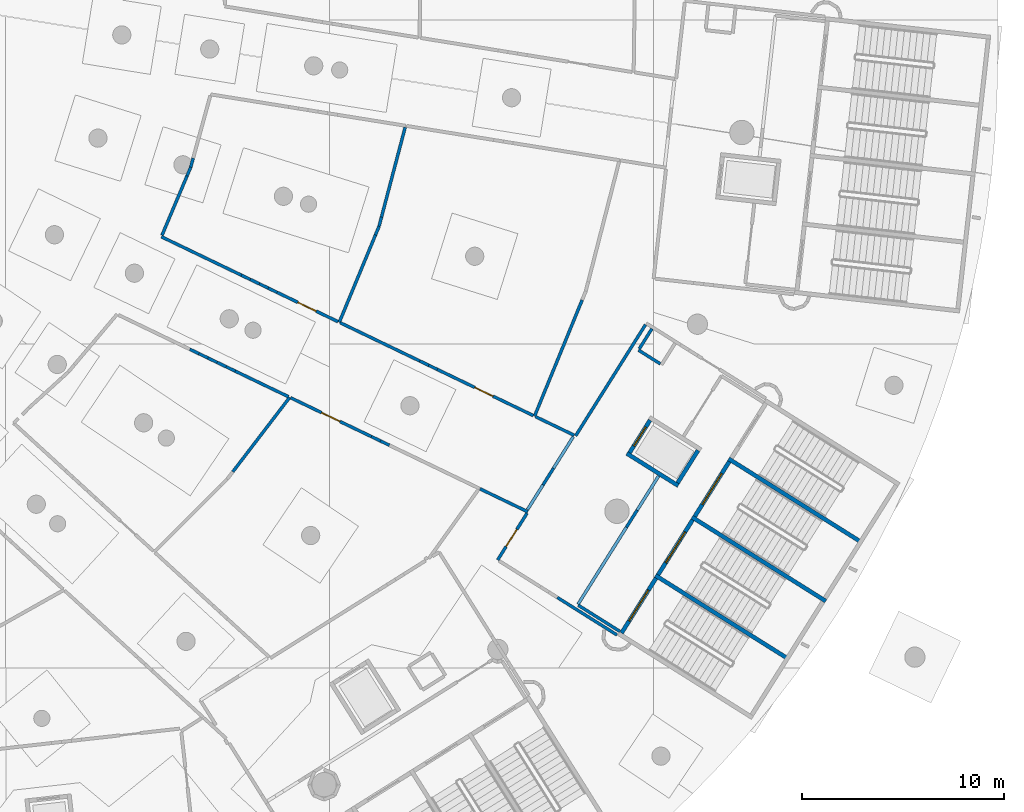
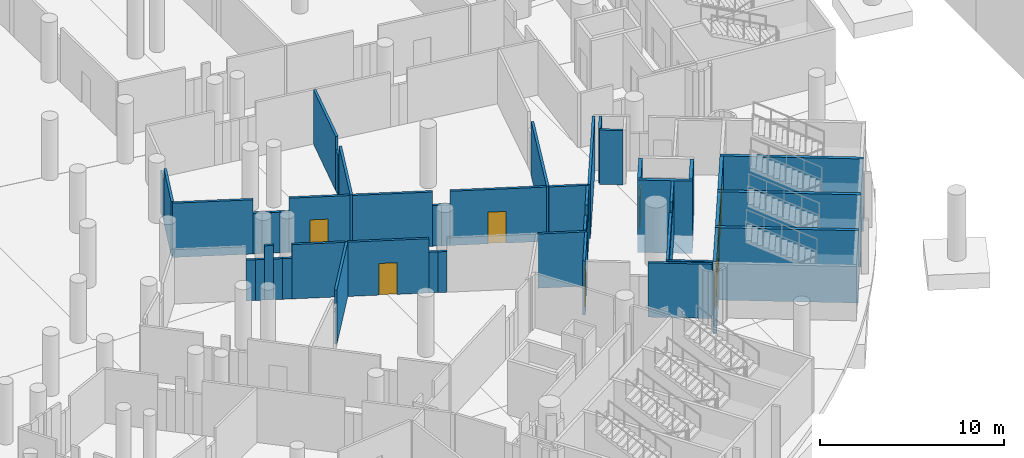
# One storey, part 58 of 142: 51 walls, 8 doors, 8 openings.
"""IFC4 building model written with IfcOpenShell, lengths in metres."""

import ifcopenshell
import ifcopenshell.guid

model = None  # the IFC model being written
_history = None  # IfcOwnerHistory: only IFC2X3 demands one
_inside = {}  # id of a spatial element -> (the spatial element, [elements in it])
_under = {}  # id of a project, library or spatial element -> (it, [spatial elements below it])
_declared = {}  # id of a project -> (the project, [libraries it declares])
_typed = {}  # id of a type object -> (the type object, [elements of that type])
_made_of = {}  # id of a material, layer set ... -> (it, [elements and type objects made of it])


def new_model(schema):
    """Start an empty IFC model of exactly this schema.

    Asked for "IFC4X3", IfcOpenShell would pick the latest addendum, in which some entities
    have other attributes; the version numbers below select the first issue.
    IFC2X3 requires an IfcOwnerHistory on every rooted entity: one is made here for all.
    """
    global model, _history
    if schema == "IFC4X3":
        model = ifcopenshell.file(schema_version=(4, 3, 0, 0))
    else:
        model = ifcopenshell.file(schema=schema)
    _inside.clear()
    _under.clear()
    _declared.clear()
    _typed.clear()
    _made_of.clear()
    _history = None
    if model.schema == "IFC2X3":
        org = make("IfcOrganization", Name="unknown")
        user = make(
            "IfcPersonAndOrganization",
            ThePerson=make("IfcPerson", FamilyName="unknown"),
            TheOrganization=org,
        )
        app = make(
            "IfcApplication",
            ApplicationDeveloper=org,
            Version="unknown",
            ApplicationFullName="unknown",
            ApplicationIdentifier="unknown",
        )
        _history = make(
            "IfcOwnerHistory",
            OwningUser=user,
            OwningApplication=app,
            ChangeAction="ADDED",
            CreationDate=0,
        )
    return model


def make(cls, **values):
    """One entity of the class cls with the attributes given. An attribute that is None is left unset."""
    return model.create_entity(
        cls, **{name: value for name, value in values.items() if value is not None}
    )


def rooted(cls, **values):
    """An entity with a GlobalId (a new one), such as an element, a storey or a relation."""
    return make(cls, GlobalId=ifcopenshell.guid.new(), OwnerHistory=_history, **values)


def si_unit(unit_type, name, prefix=None):
    """IfcSIUnit, for example si_unit("LENGTHUNIT", "METRE", prefix="MILLI")."""
    return make("IfcSIUnit", UnitType=unit_type, Prefix=prefix, Name=name)


def assignment(units):
    """IfcUnitAssignment: the units of a project."""
    return None if units is None else make("IfcUnitAssignment", Units=units)


def point(xyz):
    """IfcCartesianPoint."""
    return None if xyz is None else make("IfcCartesianPoint", Coordinates=xyz)


def direction(xyz):
    """IfcDirection."""
    return None if xyz is None else make("IfcDirection", DirectionRatios=xyz)


def frame(location, z_axis=None, x_axis=None):
    """IfcAxis2Placement3D, a coordinate frame: its origin and axes. An axis left out is left unset."""
    return make(
        "IfcAxis2Placement3D",
        Location=point(location),
        Axis=direction(z_axis),
        RefDirection=direction(x_axis),
    )


def frame_2d(location, x_axis=None):
    """IfcAxis2Placement2D, a coordinate frame in the plane: its origin and x axis."""
    return make(
        "IfcAxis2Placement2D", Location=point(location), RefDirection=direction(x_axis)
    )


def origin():
    """The frame at (0, 0, 0) with its axes left unset."""
    return frame((0.0, 0.0, 0.0))


def place(relative_to, where):
    """IfcLocalPlacement: puts the frame where relative to a parent placement (None: the world)."""
    return make(
        "IfcLocalPlacement", PlacementRelTo=relative_to, RelativePlacement=where
    )


def context(
    kind, dimensions, precision=None, world=None, true_north=None, identifier=None
):
    """IfcGeometricRepresentationContext, for example the 3D "Model" context."""
    return make(
        "IfcGeometricRepresentationContext",
        ContextIdentifier=identifier,
        ContextType=kind,
        CoordinateSpaceDimension=dimensions,
        Precision=precision,
        WorldCoordinateSystem=world,
        TrueNorth=true_north,
    )


def subcontext(parent, identifier, kind, view, scale=None):
    """IfcGeometricRepresentationSubContext, for example "Body" below "Model"."""
    return make(
        "IfcGeometricRepresentationSubContext",
        ContextIdentifier=identifier,
        ContextType=kind,
        ParentContext=parent,
        TargetScale=scale,
        TargetView=view,
    )


def project(units=None, contexts=None):
    """IfcProject with its units and contexts."""
    return rooted(
        "IfcProject",
        Name="project",
        RepresentationContexts=contexts,
        UnitsInContext=assignment(units),
    )


def spatial(cls, under=None, at=None, **own):
    """A site, building, storey or space (cls), placed at a placement, below another one or the project."""
    s = rooted(cls, ObjectPlacement=at, **own)
    if under is not None:
        _under.setdefault(under.id(), (under, []))[1].append(s)
    return s


def profile(cls, at=None, kind="AREA", **sizes):
    """A parametric profile (cls). Its sizes go by their IFC names, for example OverallWidth=200.0."""
    return make(cls, ProfileType=kind, Position=at, **sizes)


def rectangle(**sizes):
    """IfcRectangleProfileDef."""
    return profile("IfcRectangleProfileDef", **sizes)


def extrude(swept, where, along, depth):
    """IfcExtrudedAreaSolid: the profile swept, set in the frame where, extruded along a direction by depth."""
    return make(
        "IfcExtrudedAreaSolid",
        SweptArea=swept,
        Position=where,
        ExtrudedDirection=direction(along),
        Depth=depth,
    )


def shape(context_of_items, identifier, shape_type, items):
    """IfcShapeRepresentation: the items that make up one representation, for example the "Body"."""
    return make(
        "IfcShapeRepresentation",
        ContextOfItems=context_of_items,
        RepresentationIdentifier=identifier,
        RepresentationType=shape_type,
        Items=items,
    )


def material(Name=None, Category=None):
    """IfcMaterial."""
    return make("IfcMaterial", Name=Name, Category=Category)


def layer(
    of_material, thickness, ventilated=None, Name=None, Category=None, Priority=None
):
    """IfcMaterialLayer: one layer of a wall or slab, of a material (None: an air gap)."""
    return make(
        "IfcMaterialLayer",
        Material=of_material,
        LayerThickness=thickness,
        IsVentilated=ventilated,
        Name=Name,
        Category=Category,
        Priority=Priority,
    )


def layer_set(layers, Name=None):
    """IfcMaterialLayerSet."""
    return make("IfcMaterialLayerSet", MaterialLayers=layers, LayerSetName=Name)


def made_of(thing, what):
    """Note that an element or type object is made of a material, layer set ...; save() writes the relation."""
    if what is not None:
        _made_of.setdefault(what.id(), (what, []))[1].append(thing)
    return thing


def type_object(cls, material=None, **own):
    """A type object (cls), such as IfcWallType, which elements share."""
    return made_of(rooted(cls, **own), material)


def element(
    cls,
    number,
    at=None,
    inside=None,
    cuts=None,
    type_object=None,
    material=None,
    context=None,
    identifier="Body",
    shape_type=None,
    held_by="IfcProductDefinitionShape",
    body=None,
    shapes=None,
    **own,
):
    """One element of the class cls, such as IfcWall. Its Tag is "e" and its number.

    at: its placement. inside: the storey or other place that contains it. cuts: it is an
    opening in that element (IfcRelVoidsElement). A single representation is given by context,
    identifier, shape_type and body (its items); several are given by shapes. held_by: the class
    of the entity that holds the representations. save() writes the other relations.
    """
    e = rooted(cls, Tag="e%d" % number, ObjectPlacement=at, **own)
    if body is not None:
        shapes = [shape(context, identifier, shape_type, body)]
    if shapes is not None:
        e.Representation = make(held_by, Representations=shapes)
    if inside is not None:
        _inside.setdefault(inside.id(), (inside, []))[1].append(e)
    if cuts is not None:
        rooted(
            "IfcRelVoidsElement", RelatingBuildingElement=cuts, RelatedOpeningElement=e
        )
    if type_object is not None:
        _typed.setdefault(type_object.id(), (type_object, []))[1].append(e)
    return made_of(e, material)


def fill(opening, filler):
    """IfcRelFillsElement: the door or window that sits in an opening."""
    return rooted(
        "IfcRelFillsElement",
        RelatingOpeningElement=opening,
        RelatedBuildingElement=filler,
    )


def aggregate(whole, parts):
    """IfcRelAggregates: a whole, such as a stair, and the parts it consists of."""
    return rooted("IfcRelAggregates", RelatingObject=whole, RelatedObjects=parts)


def save(model, path):
    """Write the relations noted so far, then the file.

    IfcRelAggregates (storeys below a building ...), IfcRelContainedInSpatialStructure (elements
    in a storey), IfcRelDefinesByType, IfcRelAssociatesMaterial and IfcRelDeclares: one each for
    every whole, place, type object, material and project.
    """
    for whole, parts in _under.values():
        aggregate(whole, parts)
    for where, things in _inside.values():
        rooted(
            "IfcRelContainedInSpatialStructure",
            RelatedElements=things,
            RelatingStructure=where,
        )
    for kind, things in _typed.values():
        rooted("IfcRelDefinesByType", RelatedObjects=things, RelatingType=kind)
    for what, things in _made_of.values():
        rooted("IfcRelAssociatesMaterial", RelatedObjects=things, RelatingMaterial=what)
    for by, libraries in _declared.values():
        rooted("IfcRelDeclares", RelatingContext=by, RelatedDefinitions=libraries)
    model.write(path)


model = new_model("IFC4")

# Units and contexts
model_context = context("Model", 3, precision=1e-05, world=origin(), true_north=direction((0.0, 1.0)))
body_context = subcontext(model_context, "Body", "Model", "MODEL_VIEW")
ifc_project = project(units=[si_unit("LENGTHUNIT", "METRE"), si_unit("AREAUNIT", "SQUARE_METRE"), si_unit("VOLUMEUNIT", "CUBIC_METRE"), si_unit("PLANEANGLEUNIT", "RADIAN"), si_unit("MASSUNIT", "GRAM", prefix="KILO")], contexts=[model_context])

# Site, building, storey
site_placement = place(None, origin())
site = spatial("IfcSite", under=ifc_project, at=site_placement, CompositionType="ELEMENT")
building_placement = place(site_placement, origin())
building = spatial("IfcBuilding", under=site, at=building_placement, Name="Meseta Stadium", CompositionType="ELEMENT")
storey_placement = place(building_placement, frame((0.0, 0.0, -4.0)))
storey = spatial("IfcBuildingStorey", under=building, at=storey_placement, Name="B1", CompositionType="ELEMENT", Elevation=-4.0)

# Walls
ifc_material_1 = material(Name="Concrete C40/50", Category="concrete")
ifc_layer_1 = layer(ifc_material_1, 0.199951171875)
ifc_layer_set_1 = layer_set([ifc_layer_1], Name="Core divider wall 200")
wall_type_1 = type_object("IfcWallType", Name="Core divider wall 200", PredefinedType="SHEAR", material=ifc_layer_set_1)
wall_1_placement = place(storey_placement, frame((86.696533203125, -79.5869140625, -1.199951171875), z_axis=(0.0, 0.0, 1.0), x_axis=(-0.846713903605, 0.532048461553, 0.0)))
element("IfcWall", 1, at=wall_1_placement, inside=storey, type_object=wall_type_1, Name="Core 28 B1 stair A divider wall", PredefinedType="SHEAR", context=body_context, shape_type="SweptSolid", body=[
    extrude(rectangle(XDim=7.7998046875, YDim=0.199951171875, at=frame_2d((3.89990234375, 0.0))), origin(), (0.0, 0.0, 1.0), 4.800048828125),
])
wall_2_placement = place(storey_placement, frame((90.314453125, -73.8291015625, -1.199951171875), z_axis=(0.0, 0.0, 1.0), x_axis=(-0.846722763703, 0.532034361135, 0.0)))
element("IfcWall", 2, at=wall_2_placement, inside=storey, type_object=wall_type_1, Name="Core 28 B1 stair B divider wall", PredefinedType="SHEAR", context=body_context, shape_type="SweptSolid", body=[
    extrude(rectangle(XDim=7.800048828125, YDim=0.199951171875, at=frame_2d((3.89990234375, 0.0))), origin(), (0.0, 0.0, 1.0), 4.800048828125),
])
ifc_material_2 = material(Name="Concrete C40/50", Category="concrete")
ifc_layer_2 = layer(ifc_material_2, 0.199951171875)
ifc_layer_set_2 = layer_set([ifc_layer_2], Name="Core shaft wall 200")
wall_type_2 = type_object("IfcWallType", Name="Core shaft wall 200", PredefinedType="SHEAR", material=ifc_layer_set_2)
wall_3_placement = place(storey_placement, frame((88.505615234375, -76.7080078125, -1.199951171875), z_axis=(0.0, 0.0, 1.0), x_axis=(-0.846722763703, 0.532034361135, 0.0)))
element("IfcWall", 3, at=wall_3_placement, inside=storey, type_object=wall_type_2, Name="Core 28 B1 stair wall shared", PredefinedType="SHEAR", context=body_context, shape_type="SweptSolid", body=[
    extrude(rectangle(XDim=7.800048828125, YDim=0.199951171875, at=frame_2d((3.89990234375, 0.0))), origin(), (0.0, 0.0, 1.0), 4.800048828125),
])

# Wall, opening, door
wall_4_placement = place(storey_placement, frame((78.421142578125, -78.284423828125, -1.199951171875), z_axis=(0.0, 0.0, 1.0), x_axis=(0.53206841829, 0.84670136309, 0.0)))
wall_4 = element("IfcWall", 4, at=wall_4_placement, inside=storey, type_object=wall_type_2, Name="Core 28 B1 stair A1 inner end wall", PredefinedType="SHEAR", context=body_context, shape_type="SweptSolid", body=[
    extrude(rectangle(XDim=3.199951171875, YDim=0.199951171875, at=frame_2d((1.60009765625, 0.0))), origin(), (0.0, 0.0, 1.0), 4.800048828125),
])
opening_1_placement = place(wall_4_placement, frame((0.699951171875, 0.0, 1.199951171875)))
opening_1 = element("IfcOpeningElement", 5, at=opening_1_placement, cuts=wall_4, Name="Opening D365", PredefinedType="OPENING", context=body_context, shape_type="SweptSolid", body=[
    extrude(rectangle(XDim=1.800048828125, YDim=2.10009765625, at=frame_2d((0.89990234375, 1.050048828125))), frame((0.0, 0.10986328125, 0.0), z_axis=(0.0, -1.0, 0.0), x_axis=(1.0, 0.0, 0.0)), (0.0, 0.0, 1.0), 0.219970703125),
])
ifc_material_3 = material(Name="Steel", Category="steel")
door_type_1 = type_object("IfcDoorType", Name="Stair door 1800x2100", OperationType="DOUBLE_DOOR_SINGLE_SWING", PredefinedType="DOOR", material=ifc_material_3)
door_1_placement = place(opening_1_placement, origin())
door_1 = element("IfcDoor", 6, at=door_1_placement, inside=storey, type_object=door_type_1, Name="Stair A1 door 28 B1", OperationType="DOUBLE_DOOR_SINGLE_SWING", OverallHeight=2.10009765625, OverallWidth=1.800048828125, PredefinedType="DOOR", context=body_context, shape_type="SweptSolid", body=[
    extrude(rectangle(XDim=1.800048828125, YDim=2.10009765625, at=frame_2d((0.89990234375, 1.050048828125))), frame((0.0, 0.02490234375, 0.0), z_axis=(0.0, -1.0, 0.0), x_axis=(1.0, 0.0, 0.0)), (0.0, 0.0, 1.0), 0.050048828125),
])
fill(opening_1, door_1)

wall_5_placement = place(storey_placement, frame((80.22998046875, -75.405517578125, -1.199951171875), z_axis=(0.0, 0.0, 1.0), x_axis=(0.53206841829, 0.84670136309, 0.0)))
wall_5 = element("IfcWall", 7, at=wall_5_placement, inside=storey, type_object=wall_type_2, Name="Core 28 B1 stair A2 inner end wall", PredefinedType="SHEAR", context=body_context, shape_type="SweptSolid", body=[
    extrude(rectangle(XDim=3.199951171875, YDim=0.199951171875, at=frame_2d((1.60009765625, 0.0))), origin(), (0.0, 0.0, 1.0), 4.800048828125),
])
opening_2_placement = place(wall_5_placement, frame((0.699951171875, 0.0, 1.199951171875)))
opening_2 = element("IfcOpeningElement", 8, at=opening_2_placement, cuts=wall_5, Name="Opening D366", PredefinedType="OPENING", context=body_context, shape_type="SweptSolid", body=[
    extrude(rectangle(XDim=1.800048828125, YDim=2.10009765625, at=frame_2d((0.89990234375, 1.050048828125))), frame((0.0, 0.10986328125, 0.0), z_axis=(0.0, -1.0, 0.0), x_axis=(1.0, 0.0, 0.0)), (0.0, 0.0, 1.0), 0.219970703125),
])
door_2_placement = place(opening_2_placement, origin())
door_2 = element("IfcDoor", 9, at=door_2_placement, inside=storey, type_object=door_type_1, Name="Stair A2 door 28 B1", OperationType="DOUBLE_DOOR_SINGLE_SWING", OverallHeight=2.10009765625, OverallWidth=1.800048828125, PredefinedType="DOOR", context=body_context, shape_type="SweptSolid", body=[
    extrude(rectangle(XDim=1.800048828125, YDim=2.10009765625, at=frame_2d((0.89990234375, 1.050048828125))), frame((0.0, 0.02490234375, 0.0), z_axis=(0.0, -1.0, 0.0), x_axis=(1.0, 0.0, 0.0)), (0.0, 0.0, 1.0), 0.050048828125),
])
fill(opening_2, door_2)

wall_6_placement = place(storey_placement, frame((82.0390625, -72.526611328125, -1.199951171875), z_axis=(0.0, 0.0, 1.0), x_axis=(0.532013720158, 0.846735733015, 0.0)))
wall_6 = element("IfcWall", 10, at=wall_6_placement, inside=storey, type_object=wall_type_2, Name="Core 28 B1 stair B1 inner end wall", PredefinedType="SHEAR", context=body_context, shape_type="SweptSolid", body=[
    extrude(rectangle(XDim=3.199951171875, YDim=0.199951171875, at=frame_2d((1.60009765625, 0.0))), origin(), (0.0, 0.0, 1.0), 4.800048828125),
])
opening_3_placement = place(wall_6_placement, frame((0.699951171875, 0.0, 1.199951171875)))
opening_3 = element("IfcOpeningElement", 11, at=opening_3_placement, cuts=wall_6, Name="Opening D367", PredefinedType="OPENING", context=body_context, shape_type="SweptSolid", body=[
    extrude(rectangle(XDim=1.800048828125, YDim=2.10009765625, at=frame_2d((0.89990234375, 1.050048828125))), frame((0.0, 0.10986328125, 0.0), z_axis=(0.0, -1.0, 0.0), x_axis=(1.0, 0.0, 0.0)), (0.0, 0.0, 1.0), 0.219970703125),
])
door_3_placement = place(opening_3_placement, origin())
door_3 = element("IfcDoor", 12, at=door_3_placement, inside=storey, type_object=door_type_1, Name="Stair B1 door 28 B1", OperationType="DOUBLE_DOOR_SINGLE_SWING", OverallHeight=2.10009765625, OverallWidth=1.800048828125, PredefinedType="DOOR", context=body_context, shape_type="SweptSolid", body=[
    extrude(rectangle(XDim=1.800048828125, YDim=2.10009765625, at=frame_2d((0.89990234375, 1.050048828125))), frame((0.0, 0.02490234375, 0.0), z_axis=(0.0, -1.0, 0.0), x_axis=(1.0, 0.0, 0.0)), (0.0, 0.0, 1.0), 0.050048828125),
])
fill(opening_3, door_3)

# Walls
wall_7_placement = place(storey_placement, frame((81.22119140625, -71.0087890625, -1.199951171875), z_axis=(0.0, 0.0, 1.0), x_axis=(-0.846757002027, 0.531979867588, 0.0)))
element("IfcWall", 13, at=wall_7_placement, inside=storey, type_object=wall_type_2, Name="Core 28 B1 lift shaft wall left", PredefinedType="SHEAR", context=body_context, shape_type="SweptSolid", body=[
    extrude(rectangle(XDim=3.0, YDim=0.199951171875, at=frame_2d((1.5, 0.0))), origin(), (0.0, 0.0, 1.0), 4.800048828125),
])
wall_8_placement = place(storey_placement, frame((81.189697265625, -70.87109375, -1.199951171875), z_axis=(0.0, 0.0, 1.0), x_axis=(0.531961007765, 0.846768850524, 0.0)))
element("IfcWall", 14, at=wall_8_placement, inside=storey, type_object=wall_type_2, Name="Core 28 B1 lift shaft back wall", PredefinedType="SHEAR", context=body_context, shape_type="SweptSolid", body=[
    extrude(rectangle(XDim=1.900146484375, YDim=0.199951171875, at=frame_2d((0.9501953125, 0.0))), origin(), (0.0, 0.0, 1.0), 4.800048828125),
])

# Wall, opening, door
wall_9_placement = place(storey_placement, frame((78.81884765625, -69.38134765625, -1.199951171875), z_axis=(0.0, 0.0, 1.0), x_axis=(0.532018892235, 0.846732483318, 0.0)))
wall_9 = element("IfcWall", 15, at=wall_9_placement, inside=storey, type_object=wall_type_2, Name="Core 28 B1 lift shaft front wall", PredefinedType="SHEAR", context=body_context, shape_type="SweptSolid", body=[
    extrude(rectangle(XDim=1.89990234375, YDim=0.199951171875, at=frame_2d((0.949951171875, 0.0))), origin(), (0.0, 0.0, 1.0), 4.800048828125),
])
opening_4_placement = place(wall_9_placement, frame((0.39990234375, 0.0, 1.199951171875)))
opening_4 = element("IfcOpeningElement", 16, at=opening_4_placement, cuts=wall_9, Name="Opening LD151", PredefinedType="OPENING", context=body_context, shape_type="SweptSolid", body=[
    extrude(rectangle(XDim=1.10009765625, YDim=2.10009765625, at=frame_2d((0.550048828125, 1.050048828125))), frame((0.0, 0.10986328125, 0.0), z_axis=(0.0, -1.0, 0.0), x_axis=(1.0, 0.0, 0.0)), (0.0, 0.0, 1.0), 0.219970703125),
])
ifc_material_4 = material(Name="Steel", Category="steel")
door_type_2 = type_object("IfcDoorType", Name="Lift landing door 1100x2100", OperationType="SLIDING_TO_LEFT", PredefinedType="DOOR", material=ifc_material_4)
door_4_placement = place(opening_4_placement, origin())
door_4 = element("IfcDoor", 17, at=door_4_placement, inside=storey, type_object=door_type_2, Name="Lift landing door LD151", OperationType="SLIDING_TO_LEFT", OverallHeight=2.10009765625, OverallWidth=1.10009765625, PredefinedType="DOOR", context=body_context, shape_type="SweptSolid", body=[
    extrude(rectangle(XDim=1.10009765625, YDim=2.10009765625, at=frame_2d((0.550048828125, 1.050048828125))), frame((0.0, 0.02490234375, 0.0), z_axis=(0.0, -1.0, 0.0), x_axis=(1.0, 0.0, 0.0)), (0.0, 0.0, 1.0), 0.050048828125),
])
fill(opening_4, door_4)

# Walls
ifc_material_5 = material(Name="Masonry blockwork", Category="masonry")
ifc_layer_3 = layer(ifc_material_5, 0.14990234375)
ifc_layer_set_3 = layer_set([ifc_layer_3], Name="Partition 150")
wall_type_3 = type_object("IfcWallType", Name="Partition 150", PredefinedType="PARTITIONING", material=ifc_layer_set_3)
wall_10_placement = place(storey_placement, frame((62.03515625, -66.643798828125, 0.0), z_axis=(0.0, 0.0, 1.0), x_axis=(-0.607522587772, -0.7943024017, 0.0)))
element("IfcWall", 18, at=wall_10_placement, inside=storey, type_object=wall_type_3, Name="Partition B1 B1-cell26-1-0", PredefinedType="PARTITIONING", context=body_context, shape_type="SweptSolid", body=[
    extrude(rectangle(XDim=4.625732421875, YDim=0.14990234375, at=frame_2d((2.31298828125, 0.0))), origin(), (0.0, 0.0, 1.0), 3.60009765625),
])
wall_11_placement = place(storey_placement, frame((57.09765625, -64.26904296875, 0.0), z_axis=(0.0, 0.0, 1.0), x_axis=(0.901086772715, -0.433638822106, 0.0)))
element("IfcWall", 19, at=wall_11_placement, inside=storey, type_object=wall_type_3, Name="Partition B1 B1-cell26-1-0", PredefinedType="PARTITIONING", context=body_context, shape_type="SweptSolid", body=[
    extrude(rectangle(XDim=0.498291015625, YDim=0.14990234375, at=frame_2d((0.2490234375, 0.0))), origin(), (0.0, 0.0, 1.0), 2.699951171875),
])
wall_12_placement = place(storey_placement, frame((57.546630859375, -64.485107421875, 0.0), z_axis=(0.0, 0.0, 1.0), x_axis=(0.901186136238, -0.433432287505, 0.0)))
element("IfcWall", 20, at=wall_12_placement, inside=storey, type_object=wall_type_3, Name="Partition B1 B1-cell26-1-0", PredefinedType="PARTITIONING", context=body_context, shape_type="SweptSolid", body=[
    extrude(rectangle(XDim=0.498046875, YDim=0.14990234375, at=frame_2d((0.2490234375, 0.0))), origin(), (0.0, 0.0, 1.0), 2.699951171875),
])
wall_13_placement = place(storey_placement, frame((57.995361328125, -64.700927734375, 0.0), z_axis=(0.0, 0.0, 1.0), x_axis=(0.901278186226, -0.433240846451, 0.0)))
element("IfcWall", 21, at=wall_13_placement, inside=storey, type_object=wall_type_3, Name="Partition B1 B1-cell26-1-0", PredefinedType="PARTITIONING", context=body_context, shape_type="SweptSolid", body=[
    extrude(rectangle(XDim=0.498046875, YDim=0.14990234375, at=frame_2d((0.2490234375, 0.0))), origin(), (0.0, 0.0, 1.0), 3.60009765625),
])
for number, where, z_axis, x_axis, name in (
    (22, (58.4443359375, -64.916748046875, 0.0), (0.0, 0.0, 1.0), (0.901278186226, -0.433240846451, 0.0), "Partition B1 B1-cell26-1-0"),
    (23, (58.893310546875, -65.132568359375, 0.0), (0.0, 0.0, 1.0), (0.901186136238, -0.433432287505, 0.0), "Partition B1 B1-cell26-1-0"),
):
    element("IfcWall", number, at=place(storey_placement, frame(where, z_axis=z_axis, x_axis=x_axis)), inside=storey, type_object=wall_type_3, Name=name, PredefinedType="PARTITIONING", context=body_context, shape_type="SweptSolid", body=[
        extrude(rectangle(XDim=0.498046875, YDim=0.14990234375, at=frame_2d((0.2490234375, 0.0))), origin(), (0.0, 0.0, 1.0), 2.699951171875),
    ])
wall_14_placement = place(storey_placement, frame((59.342041015625, -65.348388671875, 0.0), z_axis=(0.0, 0.0, 1.0), x_axis=(0.901164254203, -0.433477781376, 0.0)))
element("IfcWall", 24, at=wall_14_placement, inside=storey, type_object=wall_type_3, Name="Partition B1 B1-cell26-1-0", PredefinedType="PARTITIONING", context=body_context, shape_type="SweptSolid", body=[
    extrude(rectangle(XDim=2.911865234375, YDim=0.14990234375, at=frame_2d((1.4560546875, 0.0))), origin(), (0.0, 0.0, 1.0), 3.60009765625),
])

# Wall, opening, door
wall_15_placement = place(storey_placement, frame((62.080078125, -66.665283203125, 0.0), z_axis=(0.0, 0.0, 1.0), x_axis=(0.901190728749, -0.433422738694, 0.0)))
wall_15 = element("IfcWall", 25, at=wall_15_placement, inside=storey, type_object=wall_type_3, Name="Partition B1 B1-cell26-2-0", PredefinedType="PARTITIONING", context=body_context, shape_type="SweptSolid", body=[
    extrude(rectangle(XDim=4.428466796875, YDim=0.14990234375, at=frame_2d((2.21435546875, 0.0))), origin(), (0.0, 0.0, 1.0), 3.60009765625),
])
opening_5_placement = place(wall_15_placement, frame((1.699951171875, 0.0, 0.0)))
opening_5 = element("IfcOpeningElement", 26, at=opening_5_placement, cuts=wall_15, Name="Opening D508", PredefinedType="OPENING", context=body_context, shape_type="SweptSolid", body=[
    extrude(rectangle(XDim=1.0, YDim=2.10009765625, at=frame_2d((0.5, 1.050048828125))), frame((0.0, 0.0849609375, 0.0), z_axis=(0.0, -1.0, 0.0), x_axis=(1.0, 0.0, 0.0)), (0.0, 0.0, 1.0), 0.169921875),
])
ifc_material_6 = material(Name="Steel", Category="steel")
door_type_3 = type_object("IfcDoorType", Name="Fire door 1000x2100 EI2 60", OperationType="NOTDEFINED", PredefinedType="DOOR", material=ifc_material_6)
door_5_placement = place(opening_5_placement, origin())
door_5 = element("IfcDoor", 27, at=door_5_placement, inside=storey, type_object=door_type_3, Name="Door D508", OperationType="SINGLE_SWING_RIGHT", OverallHeight=2.10009765625, OverallWidth=1.0, PredefinedType="DOOR", context=body_context, shape_type="SweptSolid", body=[
    extrude(rectangle(XDim=1.0, YDim=2.10009765625, at=frame_2d((0.5, 1.050048828125))), frame((0.0, 0.02490234375, 0.0), z_axis=(0.0, -1.0, 0.0), x_axis=(1.0, 0.0, 0.0)), (0.0, 0.0, 1.0), 0.050048828125),
])
fill(opening_5, door_5)

# Walls
wall_16_placement = place(storey_placement, frame((66.071044921875, -68.584716796875, 0.0), z_axis=(0.0, 0.0, 1.0), x_axis=(0.90126733215, -0.433263425643, 0.0)))
element("IfcWall", 28, at=wall_16_placement, inside=storey, type_object=wall_type_3, Name="Partition B1 B1-cell26-2-0", PredefinedType="PARTITIONING", context=body_context, shape_type="SweptSolid", body=[
    extrude(rectangle(XDim=0.491943359375, YDim=0.14990234375, at=frame_2d((0.24609375, 0.0))), origin(), (0.0, 0.0, 1.0), 2.699951171875),
])
wall_17_placement = place(storey_placement, frame((66.514404296875, -68.7978515625, 0.0), z_axis=(0.0, 0.0, 1.0), x_axis=(0.901166741742, -0.433472609952, 0.0)))
element("IfcWall", 29, at=wall_17_placement, inside=storey, type_object=wall_type_3, Name="Partition B1 B1-cell26-2-0", PredefinedType="PARTITIONING", context=body_context, shape_type="SweptSolid", body=[
    extrude(rectangle(XDim=0.4921875, YDim=0.14990234375, at=frame_2d((0.24609375, 0.0))), origin(), (0.0, 0.0, 1.0), 2.699951171875),
])
wall_18_placement = place(storey_placement, frame((71.437255859375, -71.165283203125, 0.0), z_axis=(0.0, 0.0, 1.0), x_axis=(0.901204092293, -0.433394951556, 0.0)))
element("IfcWall", 30, at=wall_18_placement, inside=storey, type_object=wall_type_3, Name="Partition B1 B1-cell26-3-0", PredefinedType="PARTITIONING", context=body_context, shape_type="SweptSolid", body=[
    extrude(rectangle(XDim=2.61767578125, YDim=0.14990234375, at=frame_2d((1.308837890625, 0.0))), origin(), (0.0, 0.0, 1.0), 3.60009765625),
])

# Wall, opening, door
wall_19_placement = place(storey_placement, frame((73.756103515625, -72.36376953125, 0.0), z_axis=(0.0, 0.0, 1.0), x_axis=(-0.532054374811, -0.846710187871, 0.0)))
wall_19 = element("IfcWall", 31, at=wall_19_placement, inside=storey, type_object=wall_type_3, Name="Partition B1 B1-cell26-3-0", PredefinedType="PARTITIONING", context=body_context, shape_type="SweptSolid", body=[
    extrude(rectangle(XDim=2.731201171875, YDim=0.14990234375, at=frame_2d((1.36572265625, 0.0))), origin(), (0.0, 0.0, 1.0), 3.60009765625),
])
opening_6_placement = place(wall_19_placement, frame((0.949951171875, 0.0, 0.0)))
opening_6 = element("IfcOpeningElement", 32, at=opening_6_placement, cuts=wall_19, Name="Opening D509", PredefinedType="OPENING", context=body_context, shape_type="SweptSolid", body=[
    extrude(rectangle(XDim=1.0, YDim=2.10009765625, at=frame_2d((0.5, 1.050048828125))), frame((0.0, 0.0849609375, 0.0), z_axis=(0.0, -1.0, 0.0), x_axis=(1.0, 0.0, 0.0)), (0.0, 0.0, 1.0), 0.169921875),
])
door_6_placement = place(opening_6_placement, origin())
door_6 = element("IfcDoor", 33, at=door_6_placement, inside=storey, type_object=door_type_3, Name="Door D509", OperationType="SINGLE_SWING_RIGHT", OverallHeight=2.10009765625, OverallWidth=1.0, PredefinedType="DOOR", context=body_context, shape_type="SweptSolid", body=[
    extrude(rectangle(XDim=1.0, YDim=2.10009765625, at=frame_2d((0.5, 1.050048828125))), frame((0.0, 0.02490234375, 0.0), z_axis=(0.0, -1.0, 0.0), x_axis=(1.0, 0.0, 0.0)), (0.0, 0.0, 1.0), 0.050048828125),
])
fill(opening_6, door_6)

# Walls
wall_20_placement = place(storey_placement, frame((75.24951171875, -76.52783203125, 0.0), z_axis=(0.0, 0.0, 1.0), x_axis=(0.846726843036, -0.532027868897, 0.0)))
element("IfcWall", 34, at=wall_20_placement, inside=storey, type_object=wall_type_3, Name="Partition B1 B1-cell26-3-0", PredefinedType="PARTITIONING", context=body_context, shape_type="SweptSolid", body=[
    extrude(rectangle(XDim=3.480224609375, YDim=0.14990234375, at=frame_2d((1.740234375, 0.0))), origin(), (0.0, 0.0, 1.0), 3.60009765625),
])
wall_21_placement = place(storey_placement, frame((67.736083984375, -53.304931640625, 0.0), z_axis=(0.0, 0.0, 1.0), x_axis=(-0.254938171393, -0.96695735623, 0.0)))
element("IfcWall", 35, at=wall_21_placement, inside=storey, type_object=wall_type_3, Name="Partition B1 B1-cell27-1-0", PredefinedType="PARTITIONING", context=body_context, shape_type="SweptSolid", body=[
    extrude(rectangle(XDim=4.591796875, YDim=0.14990234375, at=frame_2d((2.2958984375, 0.0))), origin(), (0.0, 0.0, 1.0), 3.60009765625),
])
for number, where, z_axis, x_axis, name in (
    (36, (66.5654296875, -57.7451171875, 0.0), (0.0, 0.0, 1.0), (-0.255317300773, -0.966857319322, 0.0), "Partition B1 B1-cell27-1-0"),
    (37, (66.4462890625, -58.1962890625, 0.0), (0.0, 0.0, 1.0), (-0.382459617246, -0.923972208011, 0.0), "Partition B1 B1-cell27-1-0"),
):
    element("IfcWall", number, at=place(storey_placement, frame(where, z_axis=z_axis, x_axis=x_axis)), inside=storey, type_object=wall_type_3, Name=name, PredefinedType="PARTITIONING", context=body_context, shape_type="SweptSolid", body=[
        extrude(rectangle(XDim=0.466552734375, YDim=0.14990234375, at=frame_2d((0.2333984375, 0.0))), origin(), (0.0, 0.0, 1.0), 2.699951171875),
    ])
wall_22_placement = place(storey_placement, frame((66.267822265625, -58.62744140625, 0.0), z_axis=(0.0, 0.0, 1.0), x_axis=(-0.382649092979, -0.923893755603, 0.0)))
element("IfcWall", 38, at=wall_22_placement, inside=storey, type_object=wall_type_3, Name="Partition B1 B1-cell27-1-0", PredefinedType="PARTITIONING", context=body_context, shape_type="SweptSolid", body=[
    extrude(rectangle(XDim=4.666015625, YDim=0.14990234375, at=frame_2d((2.3330078125, 0.0))), origin(), (0.0, 0.0, 1.0), 3.60009765625),
])

# Wall, opening, door
wall_23_placement = place(storey_placement, frame((64.414794921875, -62.905517578125, 0.0), z_axis=(0.0, 0.0, 1.0), x_axis=(-0.901226054049, 0.433349281184, 0.0)))
wall_23 = element("IfcWall", 39, at=wall_23_placement, inside=storey, type_object=wall_type_3, Name="Partition B1 B1-cell27-1-0", PredefinedType="PARTITIONING", context=body_context, shape_type="SweptSolid", body=[
    extrude(rectangle(XDim=3.33740234375, YDim=0.14990234375, at=frame_2d((1.668701171875, 0.0))), origin(), (0.0, 0.0, 1.0), 3.60009765625),
])
opening_7_placement = place(wall_23_placement, frame((1.199951171875, 0.0, 0.0)))
opening_7 = element("IfcOpeningElement", 40, at=opening_7_placement, cuts=wall_23, Name="Opening D510", PredefinedType="OPENING", context=body_context, shape_type="SweptSolid", body=[
    extrude(rectangle(XDim=1.0, YDim=2.10009765625, at=frame_2d((0.5, 1.050048828125))), frame((0.0, 0.0849609375, 0.0), z_axis=(0.0, -1.0, 0.0), x_axis=(1.0, 0.0, 0.0)), (0.0, 0.0, 1.0), 0.169921875),
])
door_7_placement = place(opening_7_placement, origin())
door_7 = element("IfcDoor", 41, at=door_7_placement, inside=storey, type_object=door_type_3, Name="Door D510", OperationType="SINGLE_SWING_LEFT", OverallHeight=2.10009765625, OverallWidth=1.0, PredefinedType="DOOR", context=body_context, shape_type="SweptSolid", body=[
    extrude(rectangle(XDim=1.0, YDim=2.10009765625, at=frame_2d((0.5, 1.050048828125))), frame((0.0, 0.02490234375, 0.0), z_axis=(0.0, -1.0, 0.0), x_axis=(1.0, 0.0, 0.0)), (0.0, 0.0, 1.0), 0.050048828125),
])
fill(opening_7, door_7)

# Walls
for number, where, z_axis, x_axis, name in (
    (42, (61.406982421875, -61.459228515625, 0.0), (0.0, 0.0, 1.0), (-0.901037920028, 0.433740321703, 0.0), "Partition B1 B1-cell27-1-0"),
    (43, (60.9677734375, -61.247802734375, 0.0), (0.0, 0.0, 1.0), (-0.901327619355, 0.433137994857, 0.0), "Partition B1 B1-cell27-1-0"),
    (44, (60.5283203125, -61.03662109375, 0.0), (0.0, 0.0, 1.0), (-0.901037920028, 0.433740321703, 0.0), "Partition B1 B1-cell27-1-0"),
    (45, (60.089111328125, -60.8251953125, 0.0), (0.0, 0.0, 1.0), (-0.901327619355, 0.433137994857, 0.0), "Partition B1 B1-cell27-1-0"),
):
    element("IfcWall", number, at=place(storey_placement, frame(where, z_axis=z_axis, x_axis=x_axis)), inside=storey, type_object=wall_type_3, Name=name, PredefinedType="PARTITIONING", context=body_context, shape_type="SweptSolid", body=[
        extrude(rectangle(XDim=0.487548828125, YDim=0.14990234375, at=frame_2d((0.24365234375, 0.0))), origin(), (0.0, 0.0, 1.0), 2.699951171875),
    ])
wall_24_placement = place(storey_placement, frame((59.649658203125, -60.614013671875, 0.0), z_axis=(0.0, 0.0, 1.0), x_axis=(-0.901188477703, 0.433427419131, 0.0)))
element("IfcWall", 46, at=wall_24_placement, inside=storey, type_object=wall_type_3, Name="Partition B1 B1-cell27-1-0", PredefinedType="PARTITIONING", context=body_context, shape_type="SweptSolid", body=[
    extrude(rectangle(XDim=4.387451171875, YDim=0.14990234375, at=frame_2d((2.19384765625, 0.0))), origin(), (0.0, 0.0, 1.0), 3.60009765625),
])
wall_25_placement = place(storey_placement, frame((55.724853515625, -58.643310546875, 0.0), z_axis=(0.0, 0.0, 1.0), x_axis=(0.38848189188, 0.92145635799, 0.0)))
element("IfcWall", 47, at=wall_25_placement, inside=storey, type_object=wall_type_3, Name="Partition B1 B1-cell27-1-0", PredefinedType="PARTITIONING", context=body_context, shape_type="SweptSolid", body=[
    extrude(rectangle(XDim=3.18505859375, YDim=0.14990234375, at=frame_2d((1.592529296875, 0.0))), origin(), (0.0, 0.0, 1.0), 3.60009765625),
])
wall_26_placement = place(storey_placement, frame((56.962158203125, -55.70849609375, 0.0), z_axis=(0.0, 0.0, 1.0), x_axis=(0.388408472716, 0.921487307738, 0.0)))
element("IfcWall", 48, at=wall_26_placement, inside=storey, type_object=wall_type_3, Name="Partition B1 B1-cell27-1-0", PredefinedType="PARTITIONING", context=body_context, shape_type="SweptSolid", body=[
    extrude(rectangle(XDim=0.4658203125, YDim=0.14990234375, at=frame_2d((0.23291015625, 0.0))), origin(), (0.0, 0.0, 1.0), 2.85009765625),
])
wall_27_placement = place(storey_placement, frame((57.14306640625, -55.279296875, 0.0), z_axis=(0.0, 0.0, 1.0), x_axis=(0.264401928242, 0.964412577864, 0.0)))
element("IfcWall", 49, at=wall_27_placement, inside=storey, type_object=wall_type_3, Name="Partition B1 B1-cell27-1-0", PredefinedType="PARTITIONING", context=body_context, shape_type="SweptSolid", body=[
    extrude(rectangle(XDim=0.46630859375, YDim=0.14990234375, at=frame_2d((0.233154296875, 0.0))), origin(), (0.0, 0.0, 1.0), 2.85009765625),
])
wall_28_placement = place(storey_placement, frame((76.4755859375, -61.8388671875, 0.0), z_axis=(0.0, 0.0, 1.0), x_axis=(-0.3791112098, -0.92535111747, 0.0)))
element("IfcWall", 50, at=wall_28_placement, inside=storey, type_object=wall_type_3, Name="Partition B1 B1-cell27-2-0", PredefinedType="PARTITIONING", context=body_context, shape_type="SweptSolid", body=[
    extrude(rectangle(XDim=6.19970703125, YDim=0.14990234375, at=frame_2d((3.099853515625, 0.0))), origin(), (0.0, 0.0, 1.0), 3.60009765625),
])

# Wall, opening, door
wall_29_placement = place(storey_placement, frame((74.0576171875, -67.543212890625, 0.0), z_axis=(0.0, 0.0, 1.0), x_axis=(-0.901194793343, 0.433414287319, 0.0)))
wall_29 = element("IfcWall", 51, at=wall_29_placement, inside=storey, type_object=wall_type_3, Name="Partition B1 B1-cell27-2-0", PredefinedType="PARTITIONING", context=body_context, shape_type="SweptSolid", body=[
    extrude(rectangle(XDim=5.25, YDim=0.14990234375, at=frame_2d((2.625, 0.0))), origin(), (0.0, 0.0, 1.0), 3.60009765625),
])
opening_8_placement = place(wall_29_placement, frame((2.199951171875, 0.0, 0.0)))
opening_8 = element("IfcOpeningElement", 52, at=opening_8_placement, cuts=wall_29, Name="Opening D511", PredefinedType="OPENING", context=body_context, shape_type="SweptSolid", body=[
    extrude(rectangle(XDim=1.0, YDim=2.10009765625, at=frame_2d((0.5, 1.050048828125))), frame((0.0, 0.0849609375, 0.0), z_axis=(0.0, -1.0, 0.0), x_axis=(1.0, 0.0, 0.0)), (0.0, 0.0, 1.0), 0.169921875),
])
door_8_placement = place(opening_8_placement, origin())
door_8 = element("IfcDoor", 53, at=door_8_placement, inside=storey, type_object=door_type_3, Name="Door D511", OperationType="SINGLE_SWING_RIGHT", OverallHeight=2.10009765625, OverallWidth=1.0, PredefinedType="DOOR", context=body_context, shape_type="SweptSolid", body=[
    extrude(rectangle(XDim=1.0, YDim=2.10009765625, at=frame_2d((0.5, 1.050048828125))), frame((0.0, 0.02490234375, 0.0), z_axis=(0.0, -1.0, 0.0), x_axis=(1.0, 0.0, 0.0)), (0.0, 0.0, 1.0), 0.050048828125),
])
fill(opening_8, door_8)

# Walls
wall_30_placement = place(storey_placement, frame((69.326416015625, -65.267822265625, 0.0), z_axis=(0.0, 0.0, 1.0), x_axis=(-0.901176710287, 0.433451885261, 0.0)))
element("IfcWall", 54, at=wall_30_placement, inside=storey, type_object=wall_type_3, Name="Partition B1 B1-cell27-2-0", PredefinedType="PARTITIONING", context=body_context, shape_type="SweptSolid", body=[
    extrude(rectangle(XDim=0.484375, YDim=0.14990234375, at=frame_2d((0.2421875, 0.0))), origin(), (0.0, 0.0, 1.0), 2.699951171875),
])
wall_31_placement = place(storey_placement, frame((68.889892578125, -65.057861328125, 0.0), z_axis=(0.0, 0.0, 1.0), x_axis=(-0.901184206062, 0.433436300676, 0.0)))
element("IfcWall", 55, at=wall_31_placement, inside=storey, type_object=wall_type_3, Name="Partition B1 B1-cell27-2-0", PredefinedType="PARTITIONING", context=body_context, shape_type="SweptSolid", body=[
    extrude(rectangle(XDim=0.48388671875, YDim=0.14990234375, at=frame_2d((0.241943359375, 0.0))), origin(), (0.0, 0.0, 1.0), 2.699951171875),
])
wall_32_placement = place(storey_placement, frame((68.453857421875, -64.84814453125, 0.0), z_axis=(0.0, 0.0, 1.0), x_axis=(-0.901191399525, 0.433421343986, 0.0)))
element("IfcWall", 56, at=wall_32_placement, inside=storey, type_object=wall_type_3, Name="Partition B1 B1-cell27-2-0", PredefinedType="PARTITIONING", context=body_context, shape_type="SweptSolid", body=[
    extrude(rectangle(XDim=4.35693359375, YDim=0.14990234375, at=frame_2d((2.178466796875, 0.0))), origin(), (0.0, 0.0, 1.0), 3.60009765625),
])
wall_33_placement = place(storey_placement, frame((79.605224609375, -63.054931640625, 0.0), z_axis=(0.0, 0.0, 1.0), x_axis=(-0.532032873767, -0.846723698281, 0.0)))
element("IfcWall", 57, at=wall_33_placement, inside=storey, type_object=wall_type_3, Name="Partition B1 B1-cell27-3-0", PredefinedType="PARTITIONING", context=body_context, shape_type="SweptSolid", body=[
    extrude(rectangle(XDim=6.490478515625, YDim=0.14990234375, at=frame_2d((3.2451171875, 0.0))), origin(), (0.0, 0.0, 1.0), 3.60009765625),
])
wall_34_placement = place(storey_placement, frame((76.083984375, -68.517822265625, 0.0), z_axis=(0.0, 0.0, 1.0), x_axis=(-0.901196299468, 0.433411155631, 0.0)))
element("IfcWall", 58, at=wall_34_placement, inside=storey, type_object=wall_type_3, Name="Partition B1 B1-cell27-3-0", PredefinedType="PARTITIONING", context=body_context, shape_type="SweptSolid", body=[
    extrude(rectangle(XDim=2.12353515625, YDim=0.14990234375, at=frame_2d((1.061767578125, 0.0))), origin(), (0.0, 0.0, 1.0), 3.60009765625),
])
wall_35_placement = place(storey_placement, frame((79.922119140625, -63.25537109375, 0.0), z_axis=(0.0, 0.0, 1.0), x_axis=(-0.531941549268, -0.846781074518, 0.0)))
element("IfcWall", 59, at=wall_35_placement, inside=storey, type_object=wall_type_3, Name="Pressurisation shaft wall B1 core 28", PredefinedType="PARTITIONING", context=body_context, shape_type="SweptSolid", body=[
    extrude(rectangle(XDim=1.174072265625, YDim=0.14990234375, at=frame_2d((0.5869140625, 0.0))), origin(), (0.0, 0.0, 1.0), 3.60009765625),
])
wall_36_placement = place(storey_placement, frame((79.257568359375, -64.31298828125, 0.0), z_axis=(0.0, 0.0, 1.0), x_axis=(0.846769635862, -0.531959757672, 0.0)))
element("IfcWall", 60, at=wall_36_placement, inside=storey, type_object=wall_type_3, Name="Pressurisation shaft wall B1 core 28", PredefinedType="PARTITIONING", context=body_context, shape_type="SweptSolid", body=[
    extrude(rectangle(XDim=1.27490234375, YDim=0.14990234375, at=frame_2d((0.637451171875, 0.0))), origin(), (0.0, 0.0, 1.0), 3.60009765625),
])
wall_37_placement = place(storey_placement, frame((76.28369140625, -76.911865234375, 0.0), z_axis=(0.0, 0.0, 1.0), x_axis=(0.84675422265, -0.53198429152, 0.0)))
element("IfcWall", 61, at=wall_37_placement, inside=storey, type_object=wall_type_3, Name="Stair vestibule wall B1 core 28", PredefinedType="PARTITIONING", context=body_context, shape_type="SweptSolid", body=[
    extrude(rectangle(XDim=2.429931640625, YDim=0.14990234375, at=frame_2d((1.21484375, 0.0))), origin(), (0.0, 0.0, 1.0), 3.60009765625),
])
wall_38_placement = place(storey_placement, frame((80.25244140625, -70.530029296875, 0.0), z_axis=(0.0, 0.0, 1.0), x_axis=(-0.532045204763, -0.846715950062, 0.0)))
element("IfcWall", 62, at=wall_38_placement, inside=storey, type_object=wall_type_3, Name="Stair vestibule wall B1 core 28", PredefinedType="PARTITIONING", context=body_context, shape_type="SweptSolid", body=[
    extrude(rectangle(XDim=7.47998046875, YDim=0.14990234375, at=frame_2d((3.739990234375, 0.0))), origin(), (0.0, 0.0, 1.0), 3.0),
])
wall_39_placement = place(storey_placement, frame((80.25244140625, -70.530029296875, 3.0), z_axis=(0.0, 0.0, 1.0), x_axis=(-0.53204370296, -0.846716893738, 0.0)))
element("IfcWall", 63, at=wall_39_placement, inside=storey, type_object=wall_type_3, Name="Stair vestibule wall B1 core 28", PredefinedType="PARTITIONING", context=body_context, shape_type="SweptSolid", body=[
    extrude(rectangle(XDim=1.99462890625, YDim=0.14990234375, at=frame_2d((0.997314453125, 0.0))), origin(), (0.0, 0.0, 1.0), 0.60009765625),
])
wall_40_placement = place(storey_placement, frame((78.66064453125, -73.0634765625, 3.0), z_axis=(0.0, 0.0, 1.0), x_axis=(-0.532065705504, -0.846703067802, 0.0)))
element("IfcWall", 64, at=wall_40_placement, inside=storey, type_object=wall_type_3, Name="Stair vestibule wall B1 core 28", PredefinedType="PARTITIONING", context=body_context, shape_type="SweptSolid", body=[
    extrude(rectangle(XDim=4.488037109375, YDim=0.14990234375, at=frame_2d((2.244140625, 0.0))), origin(), (0.0, 0.0, 1.0), 0.60009765625),
])
wall_41_placement = place(storey_placement, frame((76.038818359375, -68.589599609375, 0.0), z_axis=(0.0, 0.0, 1.0), x_axis=(-0.532005687212, -0.846740780153, 0.0)))
element("IfcWall", 65, at=wall_41_placement, inside=storey, type_object=wall_type_3, Name="Stair vestibule wall B1 core 28", PredefinedType="PARTITIONING", context=body_context, shape_type="SweptSolid", body=[
    extrude(rectangle(XDim=4.250732421875, YDim=0.14990234375, at=frame_2d((2.12548828125, 0.0))), origin(), (0.0, 0.0, 1.0), 2.5),
])
wall_42_placement = place(storey_placement, frame((76.038818359375, -68.589599609375, 2.5), z_axis=(0.0, 0.0, 1.0), x_axis=(-0.531997905063, -0.846745669613, 0.0)))
element("IfcWall", 66, at=wall_42_placement, inside=storey, type_object=wall_type_3, Name="Stair vestibule wall B1 core 28", PredefinedType="PARTITIONING", context=body_context, shape_type="SweptSolid", body=[
    extrude(rectangle(XDim=1.843017578125, YDim=0.14990234375, at=frame_2d((0.92138671875, 0.0))), origin(), (0.0, 0.0, 1.0), 1.10009765625),
])
wall_43_placement = place(storey_placement, frame((74.5458984375, -70.9658203125, 2.5), z_axis=(0.0, 0.0, 1.0), x_axis=(-0.532033089081, -0.84672356299, 0.0)))
element("IfcWall", 67, at=wall_43_placement, inside=storey, type_object=wall_type_3, Name="Stair vestibule wall B1 core 28", PredefinedType="PARTITIONING", context=body_context, shape_type="SweptSolid", body=[
    extrude(rectangle(XDim=1.444580078125, YDim=0.14990234375, at=frame_2d((0.72216796875, 0.0))), origin(), (0.0, 0.0, 1.0), 1.10009765625),
])

save(model, "model.ifc")
